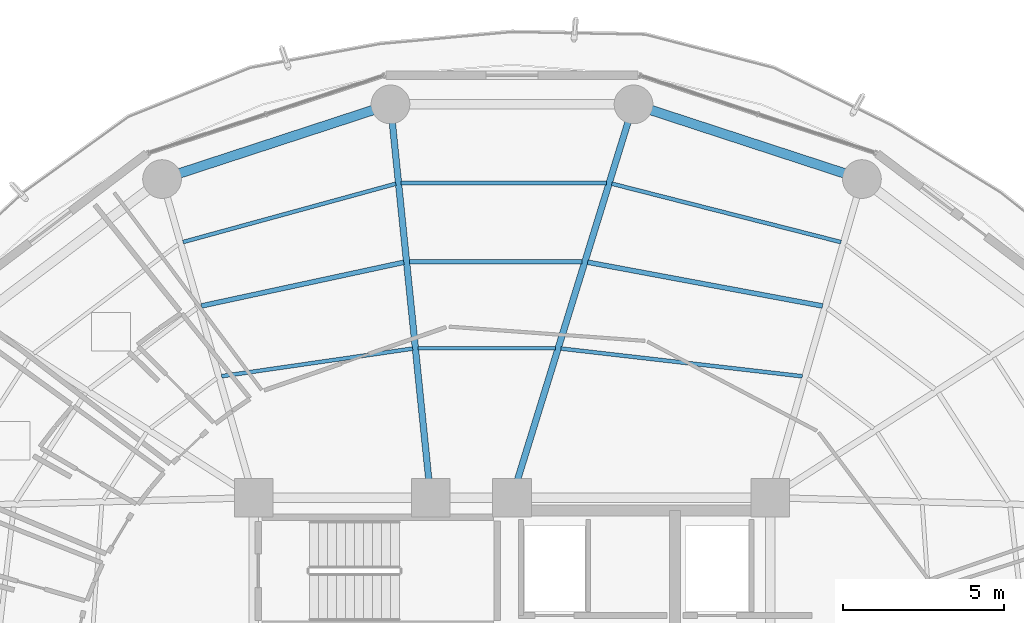
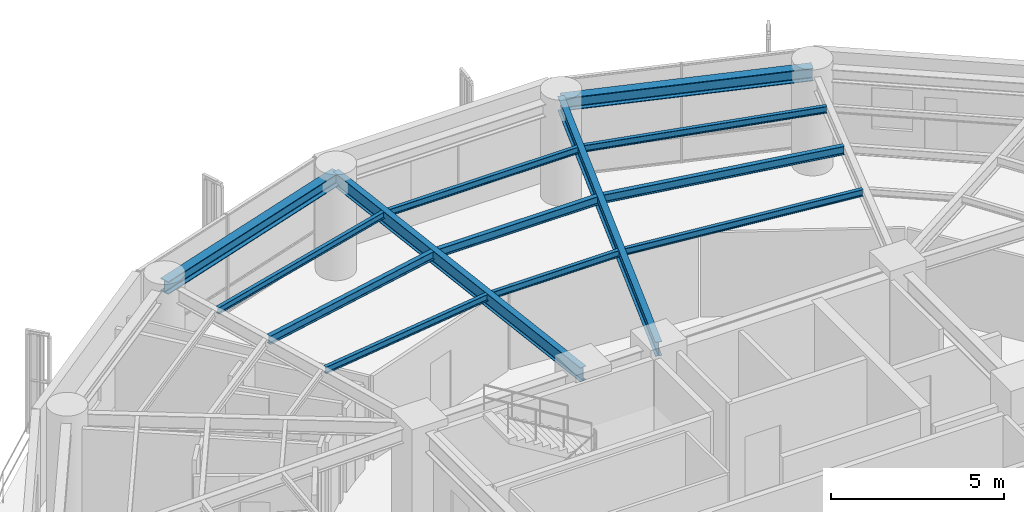
# One storey, part 17 of 27: 13 beams.
"""IFC4 building model written with IfcOpenShell, lengths in metres."""

from ifc_helpers import new_model, si_unit, direction, frame, origin, origin_2d, place, context, subcontext, project, spatial, i_section, extrude, material, material_profile, profile_set, type_object, element, save


model = new_model("IFC4")

# Units and contexts
model_context = context("Model", 3, precision=1e-05, world=origin(), true_north=direction((0.0, 1.0)))
body_context = subcontext(model_context, "Body", "Model", "MODEL_VIEW")
ifc_project = project(units=[si_unit("LENGTHUNIT", "METRE"), si_unit("AREAUNIT", "SQUARE_METRE"), si_unit("VOLUMEUNIT", "CUBIC_METRE"), si_unit("PLANEANGLEUNIT", "RADIAN"), si_unit("MASSUNIT", "GRAM", prefix="KILO")], contexts=[model_context])

# Site, building, storey
site_placement = place(None, origin())
site = spatial("IfcSite", under=ifc_project, at=site_placement, CompositionType="ELEMENT")
building_placement = place(site_placement, origin())
building = spatial("IfcBuilding", under=site, at=building_placement, Name="Kelanora Arch Commons", CompositionType="ELEMENT")
storey_placement = place(building_placement, frame((0.0, 0.0, 169.35009765625)))
storey = spatial("IfcBuildingStorey", under=building, at=storey_placement, Name="L43", CompositionType="ELEMENT", Elevation=169.35009765625)

# Beams
ifc_material = material(Name="Steel S355", Category="steel")
ifc_material_profile_1 = material_profile(ifc_material, i_section(OverallWidth=0.14990234375, OverallDepth=0.300048828125, WebThickness=0.007080078125, FlangeThickness=0.0107421875, FilletRadius=0.014892578125, at=origin_2d()), Name="IPE300")
ifc_profile_set_1 = profile_set([ifc_material_profile_1], Name="Steel S355")
beam_type_1 = type_object("IfcBeamType", Name="BM-JST-01", PredefinedType="JOIST", material=ifc_profile_set_1)
beam_1_placement = place(storey_placement, frame((83.620361328125, 70.937744140625, 3.33984375), z_axis=(-0.983054256126, 0.183314837134, 0.0), x_axis=(-0.183314837134, -0.983054256126, 0.0)))
element("IfcBeam", 1, at=beam_1_placement, inside=storey, type_object=beam_type_1, Name="Secondary Chord Joist BJB-06 L43", PredefinedType="JOIST", context=body_context, shape_type="SweptSolid", body=[
    extrude(i_section(OverallWidth=0.14990234375, OverallDepth=0.300048828125, WebThickness=0.007080078125, FlangeThickness=0.0107421875, FilletRadius=0.014892578125, at=origin_2d()), origin(), (0.0, 0.0, 1.0), 7.403564453125),
])
beam_2_placement = place(storey_placement, frame((76.173828125, 72.310546875, 3.33984375), z_axis=(-1.0, 0.0, 0.0), x_axis=(0.0, -1.0, 0.0)))
element("IfcBeam", 2, at=beam_2_placement, inside=storey, type_object=beam_type_1, Name="Secondary Chord Joist BJB-08 L43", PredefinedType="JOIST", context=body_context, shape_type="SweptSolid", body=[
    extrude(i_section(OverallWidth=0.14990234375, OverallDepth=0.300048828125, WebThickness=0.007080078125, FlangeThickness=0.0107421875, FilletRadius=0.014892578125, at=origin_2d()), origin(), (0.0, 0.0, 1.0), 5.355712890625),
])
beam_3_placement = place(storey_placement, frame((70.650146484375, 72.29248046875, 3.33984375), z_axis=(-0.977521966827, -0.210833594029, 0.0), x_axis=(0.210833594029, -0.977521966827, 0.0)))
element("IfcBeam", 3, at=beam_3_placement, inside=storey, type_object=beam_type_1, Name="Secondary Chord Joist BJB-10 L43", PredefinedType="JOIST", context=body_context, shape_type="SweptSolid", body=[
    extrude(i_section(OverallWidth=0.14990234375, OverallDepth=0.300048828125, WebThickness=0.007080078125, FlangeThickness=0.0107421875, FilletRadius=0.014892578125, at=origin_2d()), origin(), (0.0, 0.0, 1.0), 6.415283203125),
])
ifc_material_profile_2 = material_profile(ifc_material, i_section(OverallWidth=0.1201171875, OverallDepth=0.239990234375, WebThickness=0.006103515625, FlangeThickness=0.009765625, FilletRadius=0.014892578125, at=origin_2d()), Name="IPE240")
ifc_profile_set_2 = profile_set([ifc_material_profile_2], Name="Steel S355")
beam_type_2 = type_object("IfcBeamType", Name="BM-JST-02", PredefinedType="JOIST", material=ifc_profile_set_2)
beam_4_placement = place(storey_placement, frame((82.994873046875, 68.760498046875, 3.369873046875), z_axis=(-0.993457414184, 0.114203179475, 0.0), x_axis=(-0.114203179475, -0.993457414184, 0.0)))
element("IfcBeam", 4, at=beam_4_placement, inside=storey, type_object=beam_type_2, Name="Secondary Chord Joist BJA-06 L43", PredefinedType="JOIST", context=body_context, shape_type="SweptSolid", body=[
    extrude(i_section(OverallWidth=0.1201171875, OverallDepth=0.239990234375, WebThickness=0.006103515625, FlangeThickness=0.009765625, FilletRadius=0.014892578125, at=origin_2d()), origin(), (0.0, 0.0, 1.0), 7.529296875),
])
beam_5_placement = place(storey_placement, frame((84.189697265625, 72.917236328125, 3.369873046875), z_axis=(-0.96900232943, 0.247051584815, 0.0), x_axis=(-0.247051584815, -0.96900232943, 0.0)))
element("IfcBeam", 5, at=beam_5_placement, inside=storey, type_object=beam_type_2, Name="Secondary Chord Joist BJC-06 L43", PredefinedType="JOIST", context=body_context, shape_type="SweptSolid", body=[
    extrude(i_section(OverallWidth=0.1201171875, OverallDepth=0.239990234375, WebThickness=0.006103515625, FlangeThickness=0.009765625, FilletRadius=0.014892578125, at=origin_2d()), origin(), (0.0, 0.0, 1.0), 7.32275390625),
])
beam_6_placement = place(storey_placement, frame((75.345703125, 69.6298828125, 3.369873046875), z_axis=(-1.0, 0.0, 0.0), x_axis=(0.0, -1.0, 0.0)))
element("IfcBeam", 6, at=beam_6_placement, inside=storey, type_object=beam_type_2, Name="Secondary Chord Joist BJA-08 L43", PredefinedType="JOIST", context=body_context, shape_type="SweptSolid", body=[
    extrude(i_section(OverallWidth=0.1201171875, OverallDepth=0.239990234375, WebThickness=0.006103515625, FlangeThickness=0.009765625, FilletRadius=0.014892578125, at=origin_2d()), origin(), (0.0, 0.0, 1.0), 4.253662109375),
])
beam_7_placement = place(storey_placement, frame((76.9267578125, 74.747314453125, 3.369873046875), z_axis=(-1.0, 0.0, 0.0), x_axis=(0.0, -1.0, 0.0)))
element("IfcBeam", 7, at=beam_7_placement, inside=storey, type_object=beam_type_2, Name="Secondary Chord Joist BJC-08 L43", PredefinedType="JOIST", context=body_context, shape_type="SweptSolid", body=[
    extrude(i_section(OverallWidth=0.1201171875, OverallDepth=0.239990234375, WebThickness=0.006103515625, FlangeThickness=0.009765625, FilletRadius=0.014892578125, at=origin_2d()), origin(), (0.0, 0.0, 1.0), 6.357666015625),
])
beam_8_placement = place(storey_placement, frame((70.9228515625, 69.617919921875, 3.369873046875), z_axis=(-0.989718726051, -0.143027421508, 0.0), x_axis=(0.143027421508, -0.989718726051, 0.0)))
element("IfcBeam", 8, at=beam_8_placement, inside=storey, type_object=beam_type_2, Name="Secondary Chord Joist BJA-10 L43", PredefinedType="JOIST", context=body_context, shape_type="SweptSolid", body=[
    extrude(i_section(OverallWidth=0.1201171875, OverallDepth=0.239990234375, WebThickness=0.006103515625, FlangeThickness=0.009765625, FilletRadius=0.014892578125, at=origin_2d()), origin(), (0.0, 0.0, 1.0), 5.9794921875),
])
beam_9_placement = place(storey_placement, frame((70.40234375, 74.724853515625, 3.369873046875), z_axis=(-0.964456541131, -0.264241518824, 0.0), x_axis=(0.264241518824, -0.964456541131, 0.0)))
element("IfcBeam", 9, at=beam_9_placement, inside=storey, type_object=beam_type_2, Name="Secondary Chord Joist BJC-10 L43", PredefinedType="JOIST", context=body_context, shape_type="SweptSolid", body=[
    extrude(i_section(OverallWidth=0.1201171875, OverallDepth=0.239990234375, WebThickness=0.006103515625, FlangeThickness=0.009765625, FilletRadius=0.014892578125, at=origin_2d()), origin(), (0.0, 0.0, 1.0), 6.835205078125),
])
ifc_material_profile_3 = material_profile(ifc_material, i_section(OverallWidth=0.199951171875, OverallDepth=0.5, WebThickness=0.01025390625, FlangeThickness=0.01611328125, FilletRadius=0.02099609375, at=origin_2d()), Name="IPE500")
ifc_profile_set_3 = profile_set([ifc_material_profile_3], Name="Steel S355")
beam_type_3 = type_object("IfcBeamType", Name="BM-RAD-Z3", PredefinedType="BEAM", material=ifc_profile_set_3)
beam_10_placement = place(storey_placement, frame((74.0, 65.0, 3.239990234375), z_axis=(0.295210315095, 0.955432294755, 0.0), x_axis=(-0.955432294755, 0.295210315095, 0.0)))
element("IfcBeam", 10, at=beam_10_placement, inside=storey, type_object=beam_type_3, Name="Radial Floor Girder BR-08 L43", PredefinedType="BEAM", context=body_context, shape_type="SweptSolid", body=[
    extrude(i_section(OverallWidth=0.199951171875, OverallDepth=0.5, WebThickness=0.01025390625, FlangeThickness=0.01611328125, FilletRadius=0.02099609375, at=origin_2d()), origin(), (0.0, 0.0, 1.0), 12.75244140625),
])
beam_11_placement = place(storey_placement, frame((71.47998046875, 65.0, 3.239990234375), z_axis=(-0.101623200789, 0.994822961668, 0.0), x_axis=(-0.994822961668, -0.101623200789, 0.0)))
element("IfcBeam", 11, at=beam_11_placement, inside=storey, type_object=beam_type_3, Name="Radial Floor Girder BR-10 L43", PredefinedType="BEAM", context=body_context, shape_type="SweptSolid", body=[
    extrude(i_section(OverallWidth=0.199951171875, OverallDepth=0.5, WebThickness=0.01025390625, FlangeThickness=0.01611328125, FilletRadius=0.02099609375, at=origin_2d()), origin(), (0.0, 0.0, 1.0), 12.24755859375),
])
ifc_material_profile_4 = material_profile(ifc_material, i_section(OverallWidth=0.300048828125, OverallDepth=0.449951171875, WebThickness=0.013916015625, FlangeThickness=0.02587890625, FilletRadius=0.027099609375, at=origin_2d()), Name="HEB450")
ifc_profile_set_4 = profile_set([ifc_material_profile_4], Name="Steel S355")
beam_type_4 = type_object("IfcBeamType", Name="BM-SPN-Z3", PredefinedType="SPANDREL", material=ifc_profile_set_4)
for number, where, z_axis, x_axis, name in (
    (12, (84.840087890625, 74.8701171875, 3.264892578125), (-0.950461975786, 0.310840847676, 0.0), (-0.310840847676, -0.950461975786, 0.0), "Perimeter Spandrel Beam BS-06 L43"),
    (13, (70.2353515625, 77.18408203125, 3.264892578125), (-0.950461975786, -0.310840847676, 0.0), (0.310840847676, -0.950461975786, 0.0), "Perimeter Spandrel Beam BS-10 L43"),
):
    element("IfcBeam", number, at=place(storey_placement, frame(where, z_axis=z_axis, x_axis=x_axis)), inside=storey, type_object=beam_type_4, Name=name, PredefinedType="SPANDREL", context=body_context, shape_type="SweptSolid", body=[
        extrude(i_section(OverallWidth=0.300048828125, OverallDepth=0.449951171875, WebThickness=0.013916015625, FlangeThickness=0.02587890625, FilletRadius=0.027099609375, at=origin_2d()), origin(), (0.0, 0.0, 1.0), 7.444091796875),
    ])

save(model, "model.ifc")
